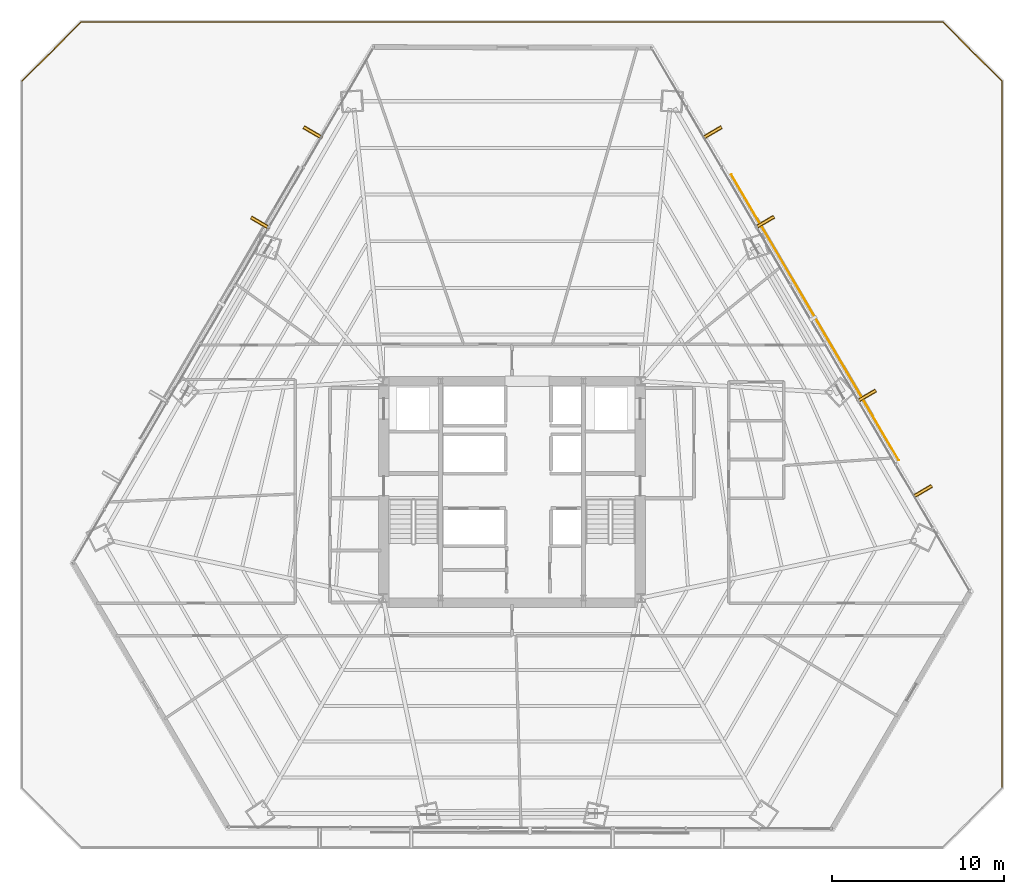
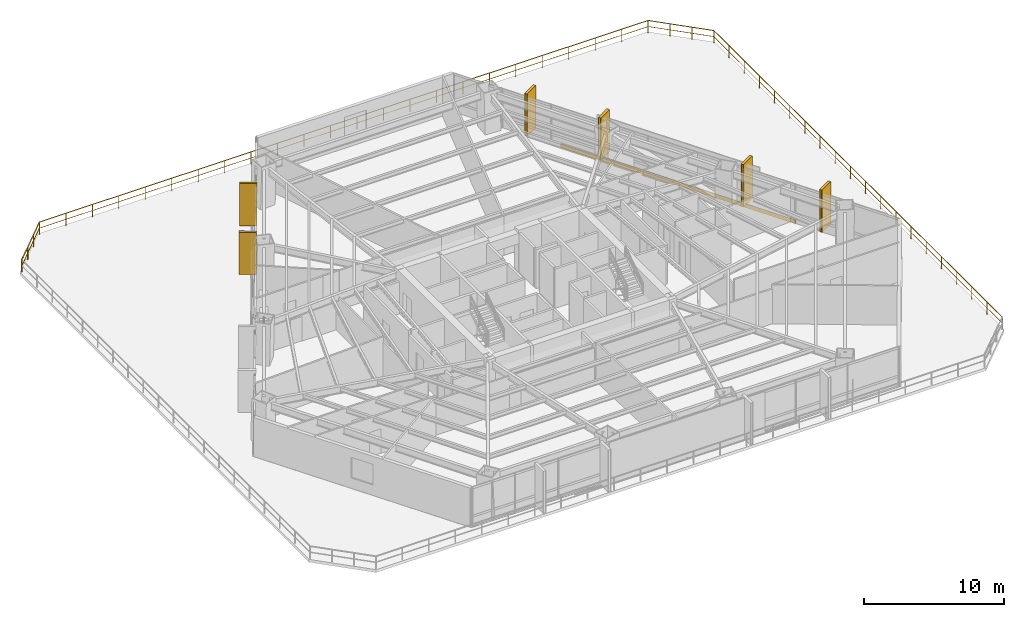
# One storey, part 35 of 35: 7 coverings, 6 shading devices, 4 railings.
"""IFC4 building model written with IfcOpenShell, lengths in metres."""

import ifcopenshell
import ifcopenshell.guid

model = None  # the IFC model being written
_history = None  # IfcOwnerHistory: only IFC2X3 demands one
_inside = {}  # id of a spatial element -> (the spatial element, [elements in it])
_under = {}  # id of a project, library or spatial element -> (it, [spatial elements below it])
_declared = {}  # id of a project -> (the project, [libraries it declares])
_typed = {}  # id of a type object -> (the type object, [elements of that type])
_made_of = {}  # id of a material, layer set ... -> (it, [elements and type objects made of it])


def new_model(schema):
    """Start an empty IFC model of exactly this schema.

    Asked for "IFC4X3", IfcOpenShell would pick the latest addendum, in which some entities
    have other attributes; the version numbers below select the first issue.
    IFC2X3 requires an IfcOwnerHistory on every rooted entity: one is made here for all.
    """
    global model, _history
    if schema == "IFC4X3":
        model = ifcopenshell.file(schema_version=(4, 3, 0, 0))
    else:
        model = ifcopenshell.file(schema=schema)
    _inside.clear()
    _under.clear()
    _declared.clear()
    _typed.clear()
    _made_of.clear()
    _history = None
    if model.schema == "IFC2X3":
        org = make("IfcOrganization", Name="unknown")
        user = make(
            "IfcPersonAndOrganization",
            ThePerson=make("IfcPerson", FamilyName="unknown"),
            TheOrganization=org,
        )
        app = make(
            "IfcApplication",
            ApplicationDeveloper=org,
            Version="unknown",
            ApplicationFullName="unknown",
            ApplicationIdentifier="unknown",
        )
        _history = make(
            "IfcOwnerHistory",
            OwningUser=user,
            OwningApplication=app,
            ChangeAction="ADDED",
            CreationDate=0,
        )
    return model


def make(cls, **values):
    """One entity of the class cls with the attributes given. An attribute that is None is left unset."""
    return model.create_entity(
        cls, **{name: value for name, value in values.items() if value is not None}
    )


def rooted(cls, **values):
    """An entity with a GlobalId (a new one), such as an element, a storey or a relation."""
    return make(cls, GlobalId=ifcopenshell.guid.new(), OwnerHistory=_history, **values)


def si_unit(unit_type, name, prefix=None):
    """IfcSIUnit, for example si_unit("LENGTHUNIT", "METRE", prefix="MILLI")."""
    return make("IfcSIUnit", UnitType=unit_type, Prefix=prefix, Name=name)


def assignment(units):
    """IfcUnitAssignment: the units of a project."""
    return None if units is None else make("IfcUnitAssignment", Units=units)


def point(xyz):
    """IfcCartesianPoint."""
    return None if xyz is None else make("IfcCartesianPoint", Coordinates=xyz)


def direction(xyz):
    """IfcDirection."""
    return None if xyz is None else make("IfcDirection", DirectionRatios=xyz)


def frame(location, z_axis=None, x_axis=None):
    """IfcAxis2Placement3D, a coordinate frame: its origin and axes. An axis left out is left unset."""
    return make(
        "IfcAxis2Placement3D",
        Location=point(location),
        Axis=direction(z_axis),
        RefDirection=direction(x_axis),
    )


def frame_2d(location, x_axis=None):
    """IfcAxis2Placement2D, a coordinate frame in the plane: its origin and x axis."""
    return make(
        "IfcAxis2Placement2D", Location=point(location), RefDirection=direction(x_axis)
    )


def origin():
    """The frame at (0, 0, 0) with its axes left unset."""
    return frame((0.0, 0.0, 0.0))


def origin_2d():
    """The frame at (0, 0) in the plane with its x axis left unset."""
    return frame_2d((0.0, 0.0))


def place(relative_to, where):
    """IfcLocalPlacement: puts the frame where relative to a parent placement (None: the world)."""
    return make(
        "IfcLocalPlacement", PlacementRelTo=relative_to, RelativePlacement=where
    )


def context(
    kind, dimensions, precision=None, world=None, true_north=None, identifier=None
):
    """IfcGeometricRepresentationContext, for example the 3D "Model" context."""
    return make(
        "IfcGeometricRepresentationContext",
        ContextIdentifier=identifier,
        ContextType=kind,
        CoordinateSpaceDimension=dimensions,
        Precision=precision,
        WorldCoordinateSystem=world,
        TrueNorth=true_north,
    )


def subcontext(parent, identifier, kind, view, scale=None):
    """IfcGeometricRepresentationSubContext, for example "Body" below "Model"."""
    return make(
        "IfcGeometricRepresentationSubContext",
        ContextIdentifier=identifier,
        ContextType=kind,
        ParentContext=parent,
        TargetScale=scale,
        TargetView=view,
    )


def project(units=None, contexts=None):
    """IfcProject with its units and contexts."""
    return rooted(
        "IfcProject",
        Name="project",
        RepresentationContexts=contexts,
        UnitsInContext=assignment(units),
    )


def spatial(cls, under=None, at=None, **own):
    """A site, building, storey or space (cls), placed at a placement, below another one or the project."""
    s = rooted(cls, ObjectPlacement=at, **own)
    if under is not None:
        _under.setdefault(under.id(), (under, []))[1].append(s)
    return s


def profile(cls, at=None, kind="AREA", **sizes):
    """A parametric profile (cls). Its sizes go by their IFC names, for example OverallWidth=200.0."""
    return make(cls, ProfileType=kind, Position=at, **sizes)


def rectangle(**sizes):
    """IfcRectangleProfileDef."""
    return profile("IfcRectangleProfileDef", **sizes)


def extrude(swept, where, along, depth):
    """IfcExtrudedAreaSolid: the profile swept, set in the frame where, extruded along a direction by depth."""
    return make(
        "IfcExtrudedAreaSolid",
        SweptArea=swept,
        Position=where,
        ExtrudedDirection=direction(along),
        Depth=depth,
    )


def shape(context_of_items, identifier, shape_type, items):
    """IfcShapeRepresentation: the items that make up one representation, for example the "Body"."""
    return make(
        "IfcShapeRepresentation",
        ContextOfItems=context_of_items,
        RepresentationIdentifier=identifier,
        RepresentationType=shape_type,
        Items=items,
    )


def source(mapping_origin, context_of_items, identifier, shape_type, items):
    """IfcRepresentationMap: a shape defined once, which mapped items show again and again."""
    return make(
        "IfcRepresentationMap",
        MappingOrigin=mapping_origin,
        MappedRepresentation=shape(context_of_items, identifier, shape_type, items),
    )


def transform(
    local_origin,
    x_axis=None,
    y_axis=None,
    z_axis=None,
    scale=None,
    scale2=None,
    scale3=None,
    uniform=True,
):
    """IfcCartesianTransformationOperator3D, or its non-uniform kind. x_axis, y_axis, z_axis: its Axis1, 2, 3."""
    if uniform:
        return make(
            "IfcCartesianTransformationOperator3D",
            Axis1=direction(x_axis),
            Axis2=direction(y_axis),
            LocalOrigin=point(local_origin),
            Scale=scale,
            Axis3=direction(z_axis),
        )
    return make(
        "IfcCartesianTransformationOperator3DnonUniform",
        Axis1=direction(x_axis),
        Axis2=direction(y_axis),
        LocalOrigin=point(local_origin),
        Scale=scale,
        Axis3=direction(z_axis),
        Scale2=scale2,
        Scale3=scale3,
    )


def mapped(mapping_source, mapping_target):
    """IfcMappedItem: shows the shape of a source again, moved by a transform."""
    return make(
        "IfcMappedItem", MappingSource=mapping_source, MappingTarget=mapping_target
    )


def material(Name=None, Category=None):
    """IfcMaterial."""
    return make("IfcMaterial", Name=Name, Category=Category)


def layer(
    of_material, thickness, ventilated=None, Name=None, Category=None, Priority=None
):
    """IfcMaterialLayer: one layer of a wall or slab, of a material (None: an air gap)."""
    return make(
        "IfcMaterialLayer",
        Material=of_material,
        LayerThickness=thickness,
        IsVentilated=ventilated,
        Name=Name,
        Category=Category,
        Priority=Priority,
    )


def layer_set(layers, Name=None):
    """IfcMaterialLayerSet."""
    return make("IfcMaterialLayerSet", MaterialLayers=layers, LayerSetName=Name)


def made_of(thing, what):
    """Note that an element or type object is made of a material, layer set ...; save() writes the relation."""
    if what is not None:
        _made_of.setdefault(what.id(), (what, []))[1].append(thing)
    return thing


def type_object(cls, material=None, **own):
    """A type object (cls), such as IfcWallType, which elements share."""
    return made_of(rooted(cls, **own), material)


def type_shapes(of_type, sources):
    """Give a type object the sources (RepresentationMaps) that its elements show as mapped items."""
    of_type.RepresentationMaps = sources


def element(
    cls,
    number,
    at=None,
    inside=None,
    cuts=None,
    type_object=None,
    material=None,
    context=None,
    identifier="Body",
    shape_type=None,
    held_by="IfcProductDefinitionShape",
    body=None,
    shapes=None,
    **own,
):
    """One element of the class cls, such as IfcWall. Its Tag is "e" and its number.

    at: its placement. inside: the storey or other place that contains it. cuts: it is an
    opening in that element (IfcRelVoidsElement). A single representation is given by context,
    identifier, shape_type and body (its items); several are given by shapes. held_by: the class
    of the entity that holds the representations. save() writes the other relations.
    """
    e = rooted(cls, Tag="e%d" % number, ObjectPlacement=at, **own)
    if body is not None:
        shapes = [shape(context, identifier, shape_type, body)]
    if shapes is not None:
        e.Representation = make(held_by, Representations=shapes)
    if inside is not None:
        _inside.setdefault(inside.id(), (inside, []))[1].append(e)
    if cuts is not None:
        rooted(
            "IfcRelVoidsElement", RelatingBuildingElement=cuts, RelatedOpeningElement=e
        )
    if type_object is not None:
        _typed.setdefault(type_object.id(), (type_object, []))[1].append(e)
    return made_of(e, material)


def aggregate(whole, parts):
    """IfcRelAggregates: a whole, such as a stair, and the parts it consists of."""
    return rooted("IfcRelAggregates", RelatingObject=whole, RelatedObjects=parts)


def save(model, path):
    """Write the relations noted so far, then the file.

    IfcRelAggregates (storeys below a building ...), IfcRelContainedInSpatialStructure (elements
    in a storey), IfcRelDefinesByType, IfcRelAssociatesMaterial and IfcRelDeclares: one each for
    every whole, place, type object, material and project.
    """
    for whole, parts in _under.values():
        aggregate(whole, parts)
    for where, things in _inside.values():
        rooted(
            "IfcRelContainedInSpatialStructure",
            RelatedElements=things,
            RelatingStructure=where,
        )
    for kind, things in _typed.values():
        rooted("IfcRelDefinesByType", RelatedObjects=things, RelatingType=kind)
    for what, things in _made_of.values():
        rooted("IfcRelAssociatesMaterial", RelatedObjects=things, RelatingMaterial=what)
    for by, libraries in _declared.values():
        rooted("IfcRelDeclares", RelatingContext=by, RelatedDefinitions=libraries)
    model.write(path)


model = new_model("IFC4")

# Units and contexts
model_context = context("Model", 3, precision=1e-05, world=origin(), true_north=direction((0.0, 1.0)))
body_context = subcontext(model_context, "Body", "Model", "MODEL_VIEW")
ifc_project = project(units=[si_unit("LENGTHUNIT", "METRE"), si_unit("AREAUNIT", "SQUARE_METRE"), si_unit("VOLUMEUNIT", "CUBIC_METRE"), si_unit("PLANEANGLEUNIT", "RADIAN"), si_unit("MASSUNIT", "GRAM", prefix="KILO")], contexts=[model_context])

# Site, building, storey
site_placement = place(None, origin())
site = spatial("IfcSite", under=ifc_project, at=site_placement, CompositionType="ELEMENT")
building_placement = place(site_placement, origin())
building = spatial("IfcBuilding", under=site, at=building_placement, Name="Caelisora Broadcast Tower", CompositionType="ELEMENT")
storey_placement = place(building_placement, frame((0.0, 0.0, 27.60009765625)))
storey = spatial("IfcBuildingStorey", under=building, at=storey_placement, Name="L06", CompositionType="ELEMENT", Elevation=27.60009765625)

# Railings
ifc_material_1 = material(Name="Laminated Glass and Stainless Steel Terrace Balustrade", Category="steel")
ifc_layer_1 = layer(ifc_material_1, 0.048095703125, Name="Laminated Glass and Stainless Steel Terrace Balustrade")
ifc_layer_set_1 = layer_set([ifc_layer_1], Name="Laminated Glass and Stainless Steel Terrace Balustrade")
railing_type = type_object("IfcRailingType", Name="BL-1", PredefinedType="BALUSTRADE", material=ifc_layer_set_1)
railing_1_placement = place(storey_placement, frame((9.52001953125, 47.449951171875, 0.0)))
element("IfcRailing", 1, at=railing_1_placement, inside=storey, type_object=railing_type, Name="L06 balustrade BL-1 #03", PredefinedType="BALUSTRADE", context=body_context, shape_type="SweptSolid", body=[
    extrude(rectangle(XDim=0.048095703125, YDim=0.048095703125, at=origin_2d()), frame((0.0, 0.0, 1.076171875), z_axis=(0.707106781187, 0.707106781187, 0.0), x_axis=(-0.707106781187, 0.707106781187, 0.0)), (0.0, 0.0, 1.0), 4.8505859375),
    extrude(rectangle(XDim=0.03125, YDim=0.03125, at=origin_2d()), frame((0.0, 0.0, 0.550048828125), z_axis=(0.707106781187, 0.707106781187, 0.0), x_axis=(-0.707106781187, 0.707106781187, 0.0)), (0.0, 0.0, 1.0), 4.8505859375),
    extrude(rectangle(XDim=0.0419921875, YDim=0.0419921875, at=origin_2d()), origin(), (0.0, 0.0, 1.0), 1.052001953125),
    extrude(rectangle(XDim=0.0419921875, YDim=0.0419921875, at=origin_2d()), frame((1.143310546875, 1.143310546875, 0.0)), (0.0, 0.0, 1.0), 1.052001953125),
    extrude(rectangle(XDim=0.0419921875, YDim=0.0419921875, at=origin_2d()), frame((2.28662109375, 2.28662109375, 0.0)), (0.0, 0.0, 1.0), 1.052001953125),
    extrude(rectangle(XDim=0.0419921875, YDim=0.0419921875, at=origin_2d()), frame((3.429931640625, 3.429931640625, 0.0)), (0.0, 0.0, 1.0), 1.052001953125),
])
railing_2_placement = place(storey_placement, frame((12.949951171875, 50.8798828125, 0.0)))
element("IfcRailing", 2, at=railing_2_placement, inside=storey, type_object=railing_type, Name="L06 balustrade BL-1 #04", PredefinedType="BALUSTRADE", context=body_context, shape_type="SweptSolid", body=[
    extrude(rectangle(XDim=0.048095703125, YDim=0.048095703125, at=origin_2d()), frame((0.0, 0.0, 1.076171875), z_axis=(1.0, 0.0, 0.0), x_axis=(0.0, 1.0, 0.0)), (0.0, 0.0, 1.0), 50.10009765625),
    extrude(rectangle(XDim=0.03125, YDim=0.03125, at=origin_2d()), frame((0.0, 0.0, 0.550048828125), z_axis=(1.0, 0.0, 0.0), x_axis=(0.0, 1.0, 0.0)), (0.0, 0.0, 1.0), 50.10009765625),
    extrude(rectangle(XDim=0.0419921875, YDim=0.0419921875, at=origin_2d()), origin(), (0.0, 0.0, 1.0), 1.052001953125),
    extrude(rectangle(XDim=0.0419921875, YDim=0.0419921875, at=origin_2d()), frame((2.17822265625, 0.0, 0.0)), (0.0, 0.0, 1.0), 1.052001953125),
    extrude(rectangle(XDim=0.0419921875, YDim=0.0419921875, at=origin_2d()), frame((4.3564453125, 0.0, 0.0)), (0.0, 0.0, 1.0), 1.052001953125),
    extrude(rectangle(XDim=0.0419921875, YDim=0.0419921875, at=origin_2d()), frame((6.534912109375, 0.0, 0.0)), (0.0, 0.0, 1.0), 1.052001953125),
    extrude(rectangle(XDim=0.0419921875, YDim=0.0419921875, at=origin_2d()), frame((8.713134765625, 0.0, 0.0)), (0.0, 0.0, 1.0), 1.052001953125),
    extrude(rectangle(XDim=0.0419921875, YDim=0.0419921875, at=origin_2d()), frame((10.891357421875, 0.0, 0.0)), (0.0, 0.0, 1.0), 1.052001953125),
    extrude(rectangle(XDim=0.0419921875, YDim=0.0419921875, at=origin_2d()), frame((13.069580078125, 0.0, 0.0)), (0.0, 0.0, 1.0), 1.052001953125),
    extrude(rectangle(XDim=0.0419921875, YDim=0.0419921875, at=origin_2d()), frame((15.247802734375, 0.0, 0.0)), (0.0, 0.0, 1.0), 1.052001953125),
    extrude(rectangle(XDim=0.0419921875, YDim=0.0419921875, at=origin_2d()), frame((17.426025390625, 0.0, 0.0)), (0.0, 0.0, 1.0), 1.052001953125),
    extrude(rectangle(XDim=0.0419921875, YDim=0.0419921875, at=origin_2d()), frame((19.6044921875, 0.0, 0.0)), (0.0, 0.0, 1.0), 1.052001953125),
    extrude(rectangle(XDim=0.0419921875, YDim=0.0419921875, at=origin_2d()), frame((21.78271484375, 0.0, 0.0)), (0.0, 0.0, 1.0), 1.052001953125),
    extrude(rectangle(XDim=0.0419921875, YDim=0.0419921875, at=origin_2d()), frame((23.9609375, 0.0, 0.0)), (0.0, 0.0, 1.0), 1.052001953125),
    extrude(rectangle(XDim=0.0419921875, YDim=0.0419921875, at=origin_2d()), frame((26.13916015625, 0.0, 0.0)), (0.0, 0.0, 1.0), 1.052001953125),
    extrude(rectangle(XDim=0.0419921875, YDim=0.0419921875, at=origin_2d()), frame((28.3173828125, 0.0, 0.0)), (0.0, 0.0, 1.0), 1.052001953125),
    extrude(rectangle(XDim=0.0419921875, YDim=0.0419921875, at=origin_2d()), frame((30.49560546875, 0.0, 0.0)), (0.0, 0.0, 1.0), 1.052001953125),
    extrude(rectangle(XDim=0.0419921875, YDim=0.0419921875, at=origin_2d()), frame((32.674072265625, 0.0, 0.0)), (0.0, 0.0, 1.0), 1.052001953125),
    extrude(rectangle(XDim=0.0419921875, YDim=0.0419921875, at=origin_2d()), frame((34.852294921875, 0.0, 0.0)), (0.0, 0.0, 1.0), 1.052001953125),
    extrude(rectangle(XDim=0.0419921875, YDim=0.0419921875, at=origin_2d()), frame((37.030517578125, 0.0, 0.0)), (0.0, 0.0, 1.0), 1.052001953125),
    extrude(rectangle(XDim=0.0419921875, YDim=0.0419921875, at=origin_2d()), frame((39.208740234375, 0.0, 0.0)), (0.0, 0.0, 1.0), 1.052001953125),
    extrude(rectangle(XDim=0.0419921875, YDim=0.0419921875, at=origin_2d()), frame((41.386962890625, 0.0, 0.0)), (0.0, 0.0, 1.0), 1.052001953125),
    extrude(rectangle(XDim=0.0419921875, YDim=0.0419921875, at=origin_2d()), frame((43.565185546875, 0.0, 0.0)), (0.0, 0.0, 1.0), 1.052001953125),
    extrude(rectangle(XDim=0.0419921875, YDim=0.0419921875, at=origin_2d()), frame((45.74365234375, 0.0, 0.0)), (0.0, 0.0, 1.0), 1.052001953125),
    extrude(rectangle(XDim=0.0419921875, YDim=0.0419921875, at=origin_2d()), frame((47.921875, 0.0, 0.0)), (0.0, 0.0, 1.0), 1.052001953125),
    extrude(rectangle(XDim=0.0419921875, YDim=0.0419921875, at=origin_2d()), frame((50.10009765625, 0.0, 0.0)), (0.0, 0.0, 1.0), 1.052001953125),
])
railing_3_placement = place(storey_placement, frame((63.050048828125, 50.8798828125, 0.0)))
element("IfcRailing", 3, at=railing_3_placement, inside=storey, type_object=railing_type, Name="L06 balustrade BL-1 #05", PredefinedType="BALUSTRADE", context=body_context, shape_type="SweptSolid", body=[
    extrude(rectangle(XDim=0.048095703125, YDim=0.048095703125, at=origin_2d()), frame((0.0, 0.0, 1.076171875), z_axis=(0.707106781187, -0.707106781187, 0.0), x_axis=(0.707106781187, 0.707106781187, 0.0)), (0.0, 0.0, 1.0), 4.8505859375),
    extrude(rectangle(XDim=0.03125, YDim=0.03125, at=origin_2d()), frame((0.0, 0.0, 0.550048828125), z_axis=(0.707106781187, -0.707106781187, 0.0), x_axis=(0.707106781187, 0.707106781187, 0.0)), (0.0, 0.0, 1.0), 4.8505859375),
    extrude(rectangle(XDim=0.0419921875, YDim=0.0419921875, at=origin_2d()), origin(), (0.0, 0.0, 1.0), 1.052001953125),
    extrude(rectangle(XDim=0.0419921875, YDim=0.0419921875, at=origin_2d()), frame((1.143310546875, -1.143310546875, 0.0)), (0.0, 0.0, 1.0), 1.052001953125),
    extrude(rectangle(XDim=0.0419921875, YDim=0.0419921875, at=origin_2d()), frame((2.28662109375, -2.28662109375, 0.0)), (0.0, 0.0, 1.0), 1.052001953125),
    extrude(rectangle(XDim=0.0419921875, YDim=0.0419921875, at=origin_2d()), frame((3.429931640625, -3.429931640625, 0.0)), (0.0, 0.0, 1.0), 1.052001953125),
])
railing_4_placement = place(storey_placement, frame((66.47998046875, 47.449951171875, 0.0)))
element("IfcRailing", 4, at=railing_4_placement, inside=storey, type_object=railing_type, Name="L06 balustrade BL-1 #06", PredefinedType="BALUSTRADE", context=body_context, shape_type="SweptSolid", body=[
    extrude(rectangle(XDim=0.048095703125, YDim=0.048095703125, at=origin_2d()), frame((0.0, 0.0, 1.076171875), z_axis=(0.0, -1.0, 0.0), x_axis=(1.0, 0.0, 0.0)), (0.0, 0.0, 1.0), 41.099853515625),
    extrude(rectangle(XDim=0.03125, YDim=0.03125, at=origin_2d()), frame((0.0, 0.0, 0.550048828125), z_axis=(0.0, -1.0, 0.0), x_axis=(1.0, 0.0, 0.0)), (0.0, 0.0, 1.0), 41.099853515625),
    extrude(rectangle(XDim=0.0419921875, YDim=0.0419921875, at=origin_2d()), origin(), (0.0, 0.0, 1.0), 1.052001953125),
    extrude(rectangle(XDim=0.0419921875, YDim=0.0419921875, at=origin_2d()), frame((0.0, -2.1630859375, 0.0)), (0.0, 0.0, 1.0), 1.052001953125),
    extrude(rectangle(XDim=0.0419921875, YDim=0.0419921875, at=origin_2d()), frame((0.0, -4.326416015625, 0.0)), (0.0, 0.0, 1.0), 1.052001953125),
    extrude(rectangle(XDim=0.0419921875, YDim=0.0419921875, at=origin_2d()), frame((0.0, -6.489501953125, 0.0)), (0.0, 0.0, 1.0), 1.052001953125),
    extrude(rectangle(XDim=0.0419921875, YDim=0.0419921875, at=origin_2d()), frame((0.0, -8.652587890625, 0.0)), (0.0, 0.0, 1.0), 1.052001953125),
    extrude(rectangle(XDim=0.0419921875, YDim=0.0419921875, at=origin_2d()), frame((0.0, -10.815673828125, 0.0)), (0.0, 0.0, 1.0), 1.052001953125),
    extrude(rectangle(XDim=0.0419921875, YDim=0.0419921875, at=origin_2d()), frame((0.0, -12.97900390625, 0.0)), (0.0, 0.0, 1.0), 1.052001953125),
    extrude(rectangle(XDim=0.0419921875, YDim=0.0419921875, at=origin_2d()), frame((0.0, -15.14208984375, 0.0)), (0.0, 0.0, 1.0), 1.052001953125),
    extrude(rectangle(XDim=0.0419921875, YDim=0.0419921875, at=origin_2d()), frame((0.0, -17.30517578125, 0.0)), (0.0, 0.0, 1.0), 1.052001953125),
    extrude(rectangle(XDim=0.0419921875, YDim=0.0419921875, at=origin_2d()), frame((0.0, -19.46826171875, 0.0)), (0.0, 0.0, 1.0), 1.052001953125),
    extrude(rectangle(XDim=0.0419921875, YDim=0.0419921875, at=origin_2d()), frame((0.0, -21.631591796875, 0.0)), (0.0, 0.0, 1.0), 1.052001953125),
    extrude(rectangle(XDim=0.0419921875, YDim=0.0419921875, at=origin_2d()), frame((0.0, -23.794677734375, 0.0)), (0.0, 0.0, 1.0), 1.052001953125),
    extrude(rectangle(XDim=0.0419921875, YDim=0.0419921875, at=origin_2d()), frame((0.0, -25.957763671875, 0.0)), (0.0, 0.0, 1.0), 1.052001953125),
    extrude(rectangle(XDim=0.0419921875, YDim=0.0419921875, at=origin_2d()), frame((0.0, -28.120849609375, 0.0)), (0.0, 0.0, 1.0), 1.052001953125),
    extrude(rectangle(XDim=0.0419921875, YDim=0.0419921875, at=origin_2d()), frame((0.0, -30.2841796875, 0.0)), (0.0, 0.0, 1.0), 1.052001953125),
    extrude(rectangle(XDim=0.0419921875, YDim=0.0419921875, at=origin_2d()), frame((0.0, -32.447265625, 0.0)), (0.0, 0.0, 1.0), 1.052001953125),
    extrude(rectangle(XDim=0.0419921875, YDim=0.0419921875, at=origin_2d()), frame((0.0, -34.6103515625, 0.0)), (0.0, 0.0, 1.0), 1.052001953125),
    extrude(rectangle(XDim=0.0419921875, YDim=0.0419921875, at=origin_2d()), frame((0.0, -36.7734375, 0.0)), (0.0, 0.0, 1.0), 1.052001953125),
    extrude(rectangle(XDim=0.0419921875, YDim=0.0419921875, at=origin_2d()), frame((0.0, -38.936767578125, 0.0)), (0.0, 0.0, 1.0), 1.052001953125),
    extrude(rectangle(XDim=0.0419921875, YDim=0.0419921875, at=origin_2d()), frame((0.0, -41.099853515625, 0.0)), (0.0, 0.0, 1.0), 1.052001953125),
])

# Coverings
ifc_material_2 = material(Name="Kiln-Fired Terracotta Spandrel Rainscreen Cladding", Category="ceramic")
ifc_layer_2 = layer(ifc_material_2, 0.044921875, Name="Kiln-Fired Terracotta Spandrel Rainscreen Cladding")
ifc_layer_set_2 = layer_set([ifc_layer_2], Name="Kiln-Fired Terracotta Spandrel Rainscreen Cladding")
covering_type = type_object("IfcCoveringType", Name="CL-1", PredefinedType="CLADDING", material=ifc_layer_set_2)
shared_shape_1 = source(origin(), body_context, "Body", "SweptSolid", [
    extrude(rectangle(XDim=0.219970703125, YDim=1.25, at=origin_2d()), origin(), (0.0, 0.0, 1.0), 3.68994140625),
])
for number, where, z_axis, x_axis, name in (
    (5, (49.64306640625, 44.45849609375, -0.02001953125), (0.0, 0.0, 1.0), (0.505582083675, -0.862778509623, 0.0), "L06 vertical solar fin cladding #1-1"),
    (6, (52.695068359375, 39.25048828125, -0.02001953125), (0.0, 0.0, 1.0), (0.505582083675, -0.862778509623, 0.0), "L06 vertical solar fin cladding #1-2"),
    (7, (58.613037109375, 29.152099609375, -0.02001953125), (0.0, 0.0, 1.0), (0.505582083675, -0.862778509623, 0.0), "L06 vertical solar fin cladding #1-3"),
    (8, (61.8662109375, 23.601318359375, -0.02001953125), (0.0, 0.0, 1.0), (0.505582083675, -0.862778509623, 0.0), "L06 vertical solar fin cladding #1-4"),
    (9, (23.371337890625, 39.20849609375, -0.02001953125), (0.0, 0.0, 1.0), (0.503321604797, 0.864099162217, 0.0), "L06 vertical solar fin cladding #3-3"),
    (10, (26.4287109375, 44.4580078125, -0.02001953125), (0.0, 0.0, 1.0), (0.503321604797, 0.864099162217, 0.0), "L06 vertical solar fin cladding #3-4"),
):
    element("IfcCovering", number, at=place(storey_placement, frame(where, z_axis=z_axis, x_axis=x_axis)), inside=storey, type_object=covering_type, Name=name, PredefinedType="CLADDING", context=body_context, shape_type="MappedRepresentation", body=[
        mapped(shared_shape_1, transform((0.0, 0.0, 0.0), scale=1.0)),
    ])

# Shading devices
ifc_material_3 = material(Name="Extruded Terracotta Flaring Colonnade Fin", Category="ceramic")
ifc_layer_3 = layer(ifc_material_3, 0.139892578125, Name="Extruded Terracotta Flaring Colonnade Fin")
ifc_layer_set_3 = layer_set([ifc_layer_3], Name="Extruded Terracotta Flaring Colonnade Fin")
shading_device_type = type_object("IfcShadingDeviceType", Name="FN-1", PredefinedType="USERDEFINED", material=ifc_layer_set_3)
shared_shape_2 = source(origin(), body_context, "Body", "SweptSolid", [
    extrude(rectangle(XDim=0.139892578125, YDim=1.25, at=origin_2d()), origin(), (0.0, 0.0, 1.0), 3.669921875),
])
type_shapes(shading_device_type, [shared_shape_2])
for number, where, z_axis, x_axis, name in (
    (11, (49.64306640625, 44.45849609375, -0.010009765625), (0.0, 0.0, 1.0), (0.505582083675, -0.862778509623, 0.0), "L06 vertical terracotta fin #1-1"),
    (12, (52.695068359375, 39.25048828125, -0.010009765625), (0.0, 0.0, 1.0), (0.505582083675, -0.862778509623, 0.0), "L06 vertical terracotta fin #1-2"),
    (13, (58.613037109375, 29.152099609375, -0.010009765625), (0.0, 0.0, 1.0), (0.505582083675, -0.862778509623, 0.0), "L06 vertical terracotta fin #1-3"),
    (14, (61.8662109375, 23.601318359375, -0.010009765625), (0.0, 0.0, 1.0), (0.505582083675, -0.862778509623, 0.0), "L06 vertical terracotta fin #1-4"),
    (15, (23.371337890625, 39.20849609375, -0.010009765625), (0.0, 0.0, 1.0), (0.503321604797, 0.864099162217, 0.0), "L06 vertical terracotta fin #3-3"),
    (16, (26.4287109375, 44.4580078125, -0.010009765625), (0.0, 0.0, 1.0), (0.503321604797, 0.864099162217, 0.0), "L06 vertical terracotta fin #3-4"),
):
    element("IfcShadingDevice", number, at=place(storey_placement, frame(where, z_axis=z_axis, x_axis=x_axis)), inside=storey, type_object=shading_device_type, Name=name, ObjectType="FIN", PredefinedType="USERDEFINED", context=body_context, shape_type="MappedRepresentation", body=[
        mapped(shared_shape_2, transform((0.0, 0.0, 0.0), scale=1.0)),
    ])

# Covering
shared_shape_3 = source(origin(), body_context, "Body", "SweptSolid", [
    extrude(rectangle(XDim=19.259033203125, YDim=0.044921875, at=origin_2d()), origin(), (0.0, 0.0, 1.0), 0.340087890625),
])
type_shapes(covering_type, [shared_shape_1, shared_shape_3])
covering_placement = place(storey_placement, frame((55.61474609375, 33.714599609375, -0.27001953125), z_axis=(0.0, 0.0, 1.0), x_axis=(-0.505582083675, 0.862778509623, 0.0)))
element("IfcCovering", 17, at=covering_placement, inside=storey, type_object=covering_type, Name="L06 terracotta spandrel rainscreen #3", PredefinedType="CLADDING", context=body_context, shape_type="MappedRepresentation", body=[
    mapped(shared_shape_3, transform((0.0, 0.0, 0.0), scale=1.0)),
])

save(model, "model.ifc")
